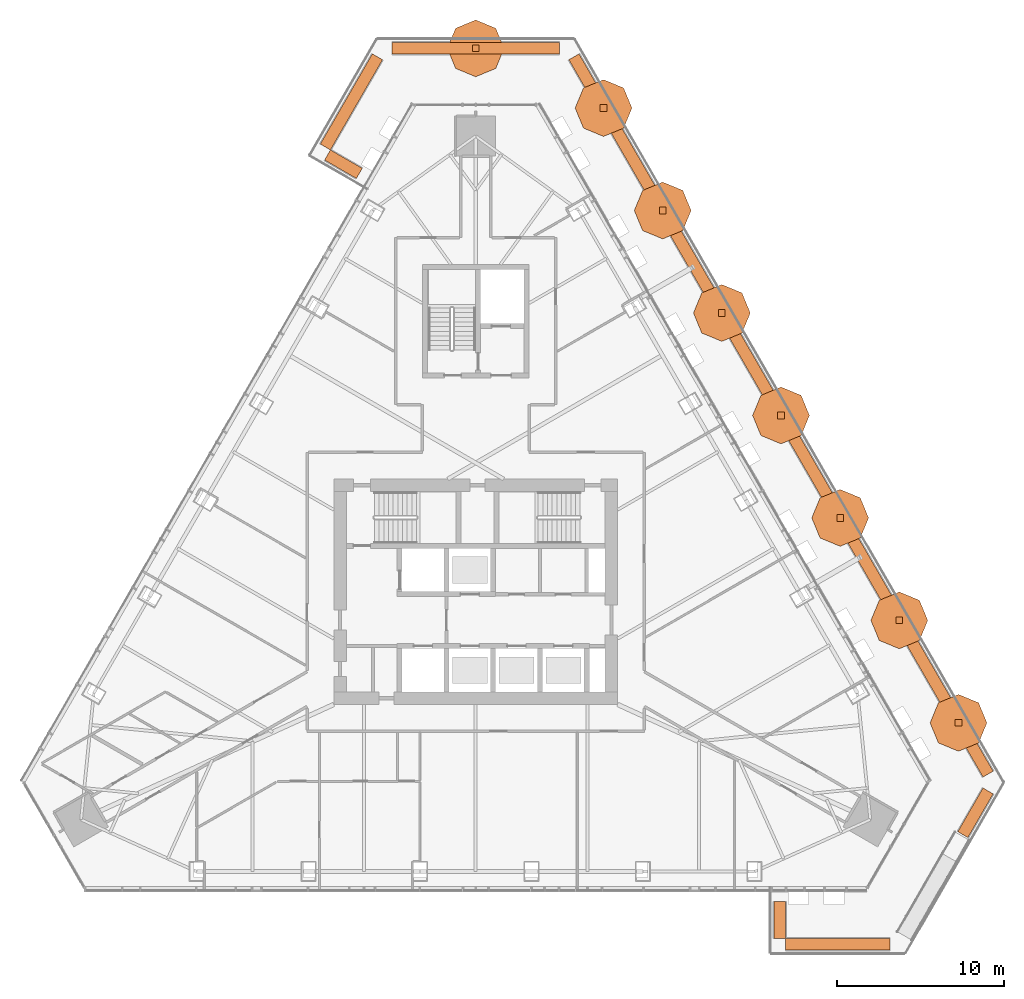
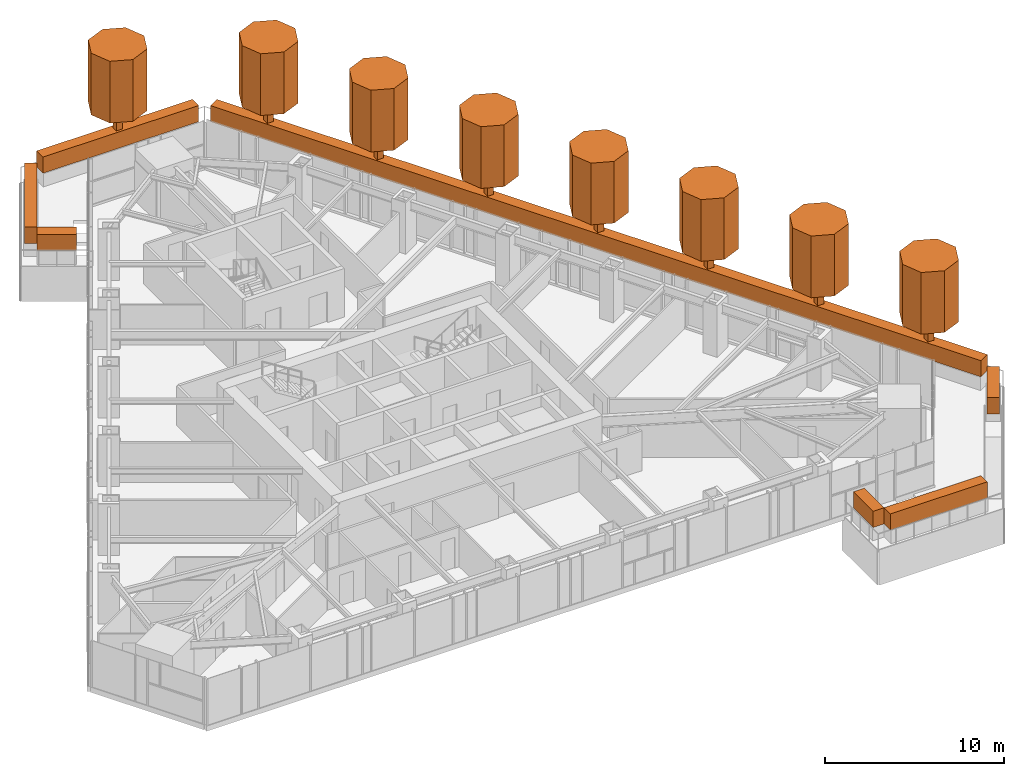
# One storey, part 24 of 24: 23 geographic elements.
"""IFC4 building model written with IfcOpenShell, lengths in metres."""

from ifc_helpers import new_model, si_unit, direction, frame, origin, origin_2d, place, context, subcontext, project, spatial, polyline, rectangle, outline, extrude, material, type_object, element, save


model = new_model("IFC4")

# Units and contexts
model_context = context("Model", 3, precision=1e-05, world=origin(), true_north=direction((0.0, 1.0)))
body_context = subcontext(model_context, "Body", "Model", "MODEL_VIEW")
ifc_project = project(units=[si_unit("LENGTHUNIT", "METRE"), si_unit("AREAUNIT", "SQUARE_METRE"), si_unit("VOLUMEUNIT", "CUBIC_METRE"), si_unit("PLANEANGLEUNIT", "RADIAN"), si_unit("MASSUNIT", "GRAM", prefix="KILO")], contexts=[model_context])

# Site, building, storey
site_placement = place(None, origin())
site = spatial("IfcSite", under=ifc_project, at=site_placement, CompositionType="ELEMENT")
building_placement = place(site_placement, origin())
building = spatial("IfcBuilding", under=site, at=building_placement, Name="Firuza Gate Tower and Library", CompositionType="ELEMENT")
storey_placement = place(building_placement, frame((0.0, 0.0, 267.10009765625)))
storey = spatial("IfcBuildingStorey", under=building, at=storey_placement, Name="L63", CompositionType="ELEMENT", Elevation=267.10009765625)

# Geographic elements
ifc_material_1 = material(Name="Foliage")
geographic_element_type_1 = type_object("IfcGeographicElementType", Name="Planted hedge", PredefinedType="USERDEFINED", material=ifc_material_1)
geographic_element_1_placement = place(storey_placement, frame((93.210693359375, 55.33935546875, 0.89990234375), z_axis=(0.0, 0.0, 1.0), x_axis=(0.0, -1.0, 0.0)))
element("IfcGeographicElement", 1, at=geographic_element_1_placement, inside=storey, type_object=geographic_element_type_1, Name="Planted hedge", ObjectType="HEDGE", PredefinedType="USERDEFINED", context=body_context, shape_type="SweptSolid", body=[
    extrude(rectangle(XDim=2.199951171875, YDim=0.699951171875, at=origin_2d()), origin(), (0.0, 0.0, 1.0), 1.10009765625),
])
geographic_element_2_placement = place(storey_placement, frame((96.6796875, 53.88916015625, 0.89990234375), z_axis=(0.0, 0.0, 1.0), x_axis=(1.0, 0.0, 0.0)))
element("IfcGeographicElement", 2, at=geographic_element_2_placement, inside=storey, type_object=geographic_element_type_1, Name="Planted hedge", ObjectType="HEDGE", PredefinedType="USERDEFINED", context=body_context, shape_type="SweptSolid", body=[
    extrude(rectangle(XDim=6.238037109375, YDim=0.699951171875, at=origin_2d()), origin(), (0.0, 0.0, 1.0), 1.10009765625),
])
geographic_element_3_placement = place(storey_placement, frame((104.927001953125, 61.762939453125, 0.89990234375), z_axis=(0.0, 0.0, 1.0), x_axis=(0.5, 0.866025403784, 0.0)))
element("IfcGeographicElement", 3, at=geographic_element_3_placement, inside=storey, type_object=geographic_element_type_1, Name="Planted hedge", ObjectType="HEDGE", PredefinedType="USERDEFINED", context=body_context, shape_type="SweptSolid", body=[
    extrude(rectangle(XDim=3.018798828125, YDim=0.699951171875, at=origin_2d()), origin(), (0.0, 0.0, 1.0), 1.10009765625),
])
geographic_element_4_placement = place(storey_placement, frame((93.282470703125, 85.555419921875, 0.89990234375), z_axis=(0.0, 0.0, 1.0), x_axis=(-0.5, 0.866025403784, 0.0)))
element("IfcGeographicElement", 4, at=geographic_element_4_placement, inside=storey, type_object=geographic_element_type_1, Name="Planted hedge", ObjectType="HEDGE", PredefinedType="USERDEFINED", context=body_context, shape_type="SweptSolid", body=[
    extrude(rectangle(XDim=49.597412109375, YDim=0.699951171875, at=origin_2d()), origin(), (0.0, 0.0, 1.0), 1.10009765625),
])
geographic_element_5_placement = place(storey_placement, frame((75.0, 107.5361328125, 0.89990234375), z_axis=(0.0, 0.0, 1.0), x_axis=(-1.0, 0.0, 0.0)))
element("IfcGeographicElement", 5, at=geographic_element_5_placement, inside=storey, type_object=geographic_element_type_1, Name="Planted hedge", ObjectType="HEDGE", PredefinedType="USERDEFINED", context=body_context, shape_type="SweptSolid", body=[
    extrude(rectangle(XDim=10.018798828125, YDim=0.699951171875, at=origin_2d()), origin(), (0.0, 0.0, 1.0), 1.10009765625),
])
geographic_element_6_placement = place(storey_placement, frame((67.557373046875, 104.33056640625, 0.89990234375), z_axis=(0.0, 0.0, 1.0), x_axis=(-0.5, -0.866025403784, 0.0)))
element("IfcGeographicElement", 6, at=geographic_element_6_placement, inside=storey, type_object=geographic_element_type_1, Name="Planted hedge", ObjectType="HEDGE", PredefinedType="USERDEFINED", context=body_context, shape_type="SweptSolid", body=[
    extrude(rectangle(XDim=6.238037109375, YDim=0.699951171875, at=origin_2d()), origin(), (0.0, 0.0, 1.0), 1.10009765625),
])
geographic_element_7_placement = place(storey_placement, frame((67.07861328125, 100.601318359375, 0.89990234375), z_axis=(0.0, 0.0, 1.0), x_axis=(0.866025403784, -0.5, 0.0)))
element("IfcGeographicElement", 7, at=geographic_element_7_placement, inside=storey, type_object=geographic_element_type_1, Name="Planted hedge", ObjectType="HEDGE", PredefinedType="USERDEFINED", context=body_context, shape_type="SweptSolid", body=[
    extrude(rectangle(XDim=2.199951171875, YDim=0.699951171875, at=origin_2d()), origin(), (0.0, 0.0, 1.0), 1.10009765625),
])
ifc_material_2 = material(Name="Foliage")
geographic_element_type_2 = type_object("IfcGeographicElementType", Name="Planted tree canopy", PredefinedType="USERDEFINED", material=ifc_material_2)
placement = place(storey_placement, frame((0.0, 0.0, 3.5)))
element("IfcGeographicElement", 8, at=placement, inside=storey, type_object=geographic_element_type_2, Name="Tree canopy", ObjectType="TREE CANOPY", PredefinedType="USERDEFINED", context=body_context, shape_type="SweptSolid", body=[
    extrude(outline(polyline([(105.610595703125, 67.14697265625), (105.112548828125, 68.34912109375), (103.910400390625, 68.84716796875), (102.70849609375, 68.34912109375), (102.21044921875, 67.14697265625), (102.70849609375, 65.945068359375), (103.910400390625, 65.447021484375), (105.112548828125, 65.945068359375), (105.610595703125, 67.14697265625)])), origin(), (0.0, 0.0, 1.0), 4.199951171875),
])
element("IfcGeographicElement", 9, at=placement, inside=storey, type_object=geographic_element_type_2, Name="Tree canopy", ObjectType="TREE CANOPY", PredefinedType="USERDEFINED", context=body_context, shape_type="SweptSolid", body=[
    extrude(outline(polyline([(102.06787109375, 73.283203125), (101.56982421875, 74.4853515625), (100.367919921875, 74.983154296875), (99.165771484375, 74.4853515625), (98.667724609375, 73.283203125), (99.165771484375, 72.0810546875), (100.367919921875, 71.583251953125), (101.56982421875, 72.0810546875), (102.06787109375, 73.283203125)])), origin(), (0.0, 0.0, 1.0), 4.199951171875),
])
element("IfcGeographicElement", 10, at=placement, inside=storey, type_object=geographic_element_type_2, Name="Tree canopy", ObjectType="TREE CANOPY", PredefinedType="USERDEFINED", context=body_context, shape_type="SweptSolid", body=[
    extrude(outline(polyline([(98.525146484375, 79.419189453125), (98.027099609375, 80.621337890625), (96.8251953125, 81.119384765625), (95.623046875, 80.621337890625), (95.125244140625, 79.419189453125), (95.623046875, 78.21728515625), (96.8251953125, 77.71923828125), (98.027099609375, 78.21728515625), (98.525146484375, 79.419189453125)])), origin(), (0.0, 0.0, 1.0), 4.199951171875),
])
element("IfcGeographicElement", 11, at=placement, inside=storey, type_object=geographic_element_type_2, Name="Tree canopy", ObjectType="TREE CANOPY", PredefinedType="USERDEFINED", context=body_context, shape_type="SweptSolid", body=[
    extrude(outline(polyline([(94.982421875, 85.555419921875), (94.484619140625, 86.757568359375), (93.282470703125, 87.25537109375), (92.080322265625, 86.757568359375), (91.58251953125, 85.555419921875), (92.080322265625, 84.353271484375), (93.282470703125, 83.85546875), (94.484619140625, 84.353271484375), (94.982421875, 85.555419921875)])), origin(), (0.0, 0.0, 1.0), 4.199951171875),
])
element("IfcGeographicElement", 12, at=placement, inside=storey, type_object=geographic_element_type_2, Name="Tree canopy", ObjectType="TREE CANOPY", PredefinedType="USERDEFINED", context=body_context, shape_type="SweptSolid", body=[
    extrude(outline(polyline([(91.439697265625, 91.69140625), (90.94189453125, 92.8935546875), (89.73974609375, 93.391357421875), (88.53759765625, 92.8935546875), (88.039794921875, 91.69140625), (88.53759765625, 90.489501953125), (89.73974609375, 89.991455078125), (90.94189453125, 90.489501953125), (91.439697265625, 91.69140625)])), origin(), (0.0, 0.0, 1.0), 4.199951171875),
])
element("IfcGeographicElement", 13, at=placement, inside=storey, type_object=geographic_element_type_2, Name="Tree canopy", ObjectType="TREE CANOPY", PredefinedType="USERDEFINED", context=body_context, shape_type="SweptSolid", body=[
    extrude(outline(polyline([(87.897216796875, 97.82763671875), (87.399169921875, 99.029541015625), (86.197021484375, 99.527587890625), (84.9951171875, 99.029541015625), (84.4970703125, 97.82763671875), (84.9951171875, 96.62548828125), (86.197021484375, 96.127685546875), (87.399169921875, 96.62548828125), (87.897216796875, 97.82763671875)])), origin(), (0.0, 0.0, 1.0), 4.199951171875),
])
element("IfcGeographicElement", 14, at=placement, inside=storey, type_object=geographic_element_type_2, Name="Tree canopy", ObjectType="TREE CANOPY", PredefinedType="USERDEFINED", context=body_context, shape_type="SweptSolid", body=[
    extrude(outline(polyline([(84.3544921875, 103.963623046875), (83.8564453125, 105.165771484375), (82.654541015625, 105.66357421875), (81.452392578125, 105.165771484375), (80.954345703125, 103.963623046875), (81.452392578125, 102.761474609375), (82.654541015625, 102.263671875), (83.8564453125, 102.761474609375), (84.3544921875, 103.963623046875)])), origin(), (0.0, 0.0, 1.0), 4.199951171875),
])
element("IfcGeographicElement", 15, at=placement, inside=storey, type_object=geographic_element_type_2, Name="Tree canopy", ObjectType="TREE CANOPY", PredefinedType="USERDEFINED", context=body_context, shape_type="SweptSolid", body=[
    extrude(outline(polyline([(76.699951171875, 107.5361328125), (76.2021484375, 108.73828125), (75.0, 109.236083984375), (73.7978515625, 108.73828125), (73.300048828125, 107.5361328125), (73.7978515625, 106.333984375), (75.0, 105.836181640625), (76.2021484375, 106.333984375), (76.699951171875, 107.5361328125)])), origin(), (0.0, 0.0, 1.0), 4.199951171875),
])
ifc_material_3 = material(Name="Timber", Category="wood")
geographic_element_type_3 = type_object("IfcGeographicElementType", Name="Planted tree trunk", PredefinedType="USERDEFINED", material=ifc_material_3)
for number, where, z_axis, x_axis, name in (
    (16, (103.910400390625, 67.14697265625, 0.89990234375), (0.0, 0.0, 1.0), (1.0, 0.0, 0.0), "Tree trunk"),
    (17, (100.367919921875, 73.283203125, 0.89990234375), (0.0, 0.0, 1.0), (1.0, 0.0, 0.0), "Tree trunk"),
    (18, (96.8251953125, 79.419189453125, 0.89990234375), (0.0, 0.0, 1.0), (1.0, 0.0, 0.0), "Tree trunk"),
    (19, (93.282470703125, 85.555419921875, 0.89990234375), (0.0, 0.0, 1.0), (1.0, 0.0, 0.0), "Tree trunk"),
    (20, (89.73974609375, 91.69140625, 0.89990234375), (0.0, 0.0, 1.0), (1.0, 0.0, 0.0), "Tree trunk"),
    (21, (86.197021484375, 97.82763671875, 0.89990234375), (0.0, 0.0, 1.0), (1.0, 0.0, 0.0), "Tree trunk"),
    (22, (82.654541015625, 103.963623046875, 0.89990234375), (0.0, 0.0, 1.0), (1.0, 0.0, 0.0), "Tree trunk"),
    (23, (75.0, 107.5361328125, 0.89990234375), (0.0, 0.0, 1.0), (1.0, 0.0, 0.0), "Tree trunk"),
):
    element("IfcGeographicElement", number, at=place(storey_placement, frame(where, z_axis=z_axis, x_axis=x_axis)), inside=storey, type_object=geographic_element_type_3, Name=name, ObjectType="TREE TRUNK", PredefinedType="USERDEFINED", context=body_context, shape_type="SweptSolid", body=[
        extrude(rectangle(XDim=0.39990234375, YDim=0.39990234375, at=origin_2d()), origin(), (0.0, 0.0, 1.0), 2.60009765625),
    ])

save(model, "model.ifc")
